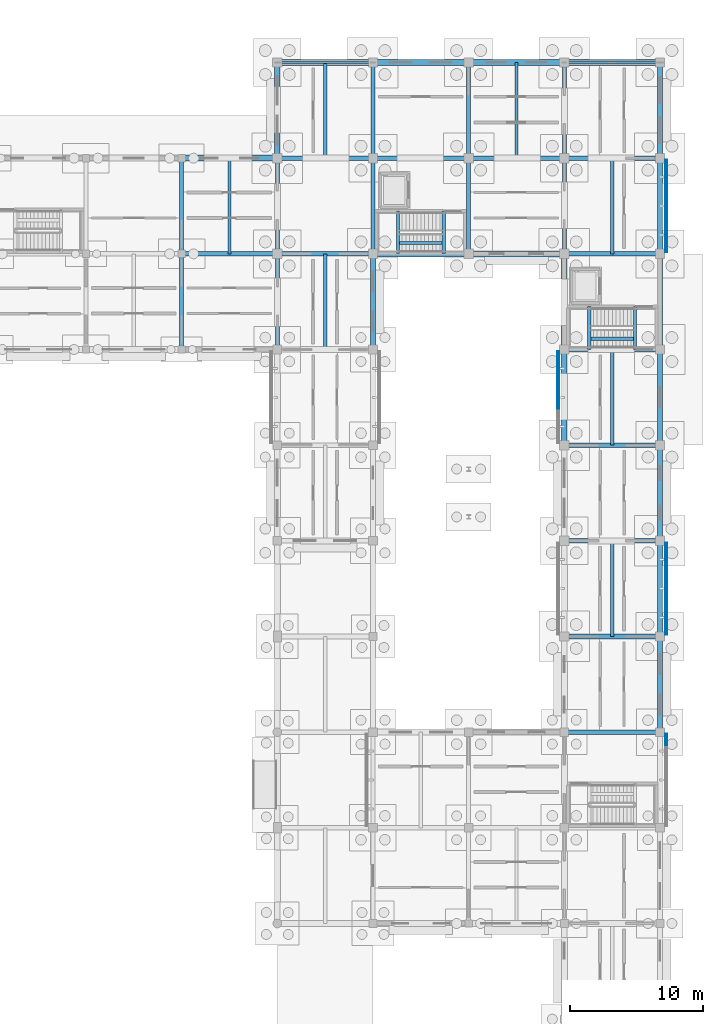
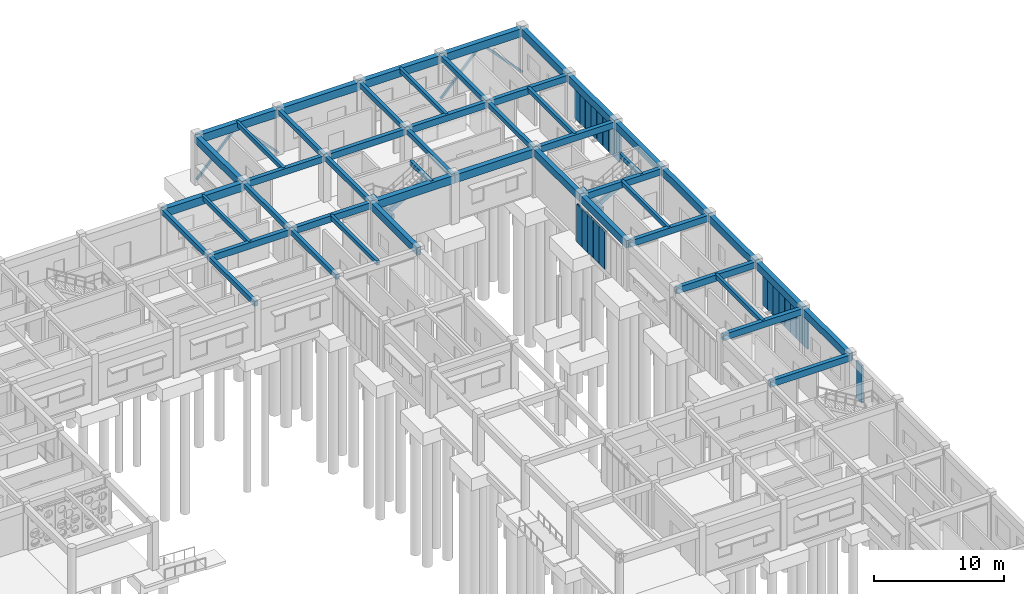
# One storey, part 38 of 111: 53 beams, 26 members, 4 elements without a shape of their own.
"""IFC4 building model written with IfcOpenShell, lengths in metres."""

from ifc_helpers import new_model, si_unit, direction, frame, origin, origin_2d, place, context, subcontext, project, spatial, rectangle, hollow_rectangle, extrude, material, material_profile, profile_set, type_object, element, aggregate, save


model = new_model("IFC4")

# Units and contexts
model_context = context("Model", 3, precision=1e-05, world=origin(), true_north=direction((0.0, 1.0)))
body_context = subcontext(model_context, "Body", "Model", "MODEL_VIEW")
ifc_project = project(units=[si_unit("LENGTHUNIT", "METRE"), si_unit("AREAUNIT", "SQUARE_METRE"), si_unit("VOLUMEUNIT", "CUBIC_METRE"), si_unit("PLANEANGLEUNIT", "RADIAN"), si_unit("MASSUNIT", "GRAM", prefix="KILO")], contexts=[model_context])

# Site, building, storey
site_placement = place(None, origin())
site = spatial("IfcSite", under=ifc_project, at=site_placement, CompositionType="ELEMENT")
building_placement = place(site_placement, origin())
building = spatial("IfcBuilding", under=site, at=building_placement, Name="Aldebral Square Health Centre", CompositionType="ELEMENT")
storey_placement = place(building_placement, origin())
storey = spatial("IfcBuildingStorey", under=building, at=storey_placement, Name="L00", CompositionType="ELEMENT", Elevation=0.0)

# Beams
ifc_material_1 = material(Name="Concrete C40/50", Category="concrete")
ifc_material_profile_1 = material_profile(ifc_material_1, rectangle(XDim=0.35009765625, YDim=0.60009765625, at=origin_2d()), Name="RC 350x600")
ifc_profile_set_1 = profile_set([ifc_material_profile_1], Name="Concrete C40/50")
beam_type_1 = type_object("IfcBeamType", Name="BM-B2", PredefinedType="BEAM", material=ifc_profile_set_1)
for number, where, z_axis, x_axis, name in (
    (1, (129.60009765625, 100.800048828125, 3.919921875), (1.0, 0.0, 0.0), (0.0, 1.0, 0.0), "L00 X-beam 19-20/G15"),
    (2, (136.800048828125, 100.800048828125, 3.919921875), (1.0, 0.0, 0.0), (0.0, 1.0, 0.0), "L00 X-beam 20-21/G15"),
    (3, (136.800048828125, 108.0, 3.919921875), (1.0, 0.0, 0.0), (0.0, 1.0, 0.0), "L00 X-beam 20-21/G16"),
    (4, (144.0, 108.0, 3.919921875), (1.0, 0.0, 0.0), (0.0, 1.0, 0.0), "L00 X-beam 21-22/G16"),
    (5, (151.199951171875, 108.0, 3.919921875), (1.0, 0.0, 0.0), (0.0, 1.0, 0.0), "L00 X-beam 22-23/G16"),
):
    element("IfcBeam", number, at=place(storey_placement, frame(where, z_axis=z_axis, x_axis=x_axis)), inside=storey, type_object=beam_type_1, Name=name, PredefinedType="BEAM", context=body_context, shape_type="SweptSolid", body=[
        extrude(rectangle(XDim=0.35009765625, YDim=0.60009765625, at=origin_2d()), origin(), (0.0, 0.0, 1.0), 7.199951171875),
    ])
for number, where, z_axis, x_axis, name in (
    (6, (158.39990234375, 64.800048828125, 3.919921875), (1.0, 0.0, 0.0), (0.0, 1.0, 0.0), "L00 X-beam 23-24/G10"),
    (7, (158.39990234375, 72.0, 3.919921875), (1.0, 0.0, 0.0), (0.0, 1.0, 0.0), "L00 X-beam 23-24/G11"),
    (8, (158.39990234375, 79.199951171875, 3.919921875), (1.0, 0.0, 0.0), (0.0, 1.0, 0.0), "L00 X-beam 23-24/G12"),
    (9, (158.39990234375, 86.39990234375, 3.919921875), (1.0, 0.0, 0.0), (0.0, 1.0, 0.0), "L00 X-beam 23-24/G13"),
    (10, (158.39990234375, 93.60009765625, 3.919921875), (1.0, 0.0, 0.0), (0.0, 1.0, 0.0), "L00 X-beam 23-24/G14"),
    (11, (158.39990234375, 100.800048828125, 3.919921875), (1.0, 0.0, 0.0), (0.0, 1.0, 0.0), "L00 X-beam 23-24/G15"),
    (12, (158.39990234375, 108.0, 3.919921875), (1.0, 0.0, 0.0), (0.0, 1.0, 0.0), "L00 X-beam 23-24/G16"),
):
    element("IfcBeam", number, at=place(storey_placement, frame(where, z_axis=z_axis, x_axis=x_axis)), inside=storey, type_object=beam_type_1, Name=name, PredefinedType="BEAM", context=body_context, shape_type="SweptSolid", body=[
        extrude(rectangle(XDim=0.35009765625, YDim=0.60009765625, at=origin_2d()), origin(), (0.0, 0.0, 1.0), 7.2001953125),
    ])
ifc_material_profile_2 = material_profile(ifc_material_1, rectangle(XDim=0.300048828125, YDim=0.449951171875, at=origin_2d()), Name="RC 300x450")
ifc_profile_set_2 = profile_set([ifc_material_profile_2], Name="Concrete C40/50")
beam_type_2 = type_object("IfcBeamType", Name="BM-B5", PredefinedType="BEAM", material=ifc_profile_set_2)
for number, where, z_axis, x_axis, name in (
    (13, (129.60009765625, 93.60009765625, 3.9951171875), (0.0, 1.0, 0.0), (-1.0, 0.0, 0.0), "L00 Y-beam G19/14-15"),
    (14, (129.60009765625, 100.800048828125, 3.9951171875), (0.0, 1.0, 0.0), (-1.0, 0.0, 0.0), "L00 Y-beam G19/15-16"),
    (15, (136.800048828125, 93.60009765625, 3.9951171875), (0.0, 1.0, 0.0), (-1.0, 0.0, 0.0), "L00 Y-beam G20/14-15"),
    (16, (136.800048828125, 100.800048828125, 3.9951171875), (0.0, 1.0, 0.0), (-1.0, 0.0, 0.0), "L00 Y-beam G20/15-16"),
    (17, (144.0, 100.800048828125, 3.9951171875), (0.0, 1.0, 0.0), (-1.0, 0.0, 0.0), "L00 Y-beam G21/15-16"),
    (18, (144.0, 108.0, 3.9951171875), (0.0, 1.0, 0.0), (-1.0, 0.0, 0.0), "L00 Y-beam G21/16-17"),
    (19, (151.199951171875, 100.800048828125, 3.9951171875), (0.0, 1.0, 0.0), (-1.0, 0.0, 0.0), "L00 Y-beam G22/15-16"),
    (20, (151.199951171875, 108.0, 3.9951171875), (0.0, 1.0, 0.0), (-1.0, 0.0, 0.0), "L00 Y-beam G22/16-17"),
    (21, (158.39990234375, 100.800048828125, 3.9951171875), (0.0, 1.0, 0.0), (-1.0, 0.0, 0.0), "L00 Y-beam G23/15-16"),
    (22, (158.39990234375, 108.0, 3.9951171875), (0.0, 1.0, 0.0), (-1.0, 0.0, 0.0), "L00 Y-beam G23/16-17"),
):
    element("IfcBeam", number, at=place(storey_placement, frame(where, z_axis=z_axis, x_axis=x_axis)), inside=storey, type_object=beam_type_2, Name=name, PredefinedType="BEAM", context=body_context, shape_type="SweptSolid", body=[
        extrude(rectangle(XDim=0.300048828125, YDim=0.449951171875, at=origin_2d()), origin(), (0.0, 0.0, 1.0), 7.199951171875),
    ])
ifc_material_profile_3 = material_profile(ifc_material_1, rectangle(XDim=0.25, YDim=0.39990234375, at=origin_2d()), Name="RC 250x400")
ifc_profile_set_3 = profile_set([ifc_material_profile_3], Name="Concrete C40/50")
beam_type_3 = type_object("IfcBeamType", Name="BM-B6", PredefinedType="JOIST", material=ifc_profile_set_3)
for number, where, z_axis, x_axis, name in (
    (23, (133.199951171875, 100.800048828125, 4.02001953125), (0.0, 1.0, 0.0), (-1.0, 0.0, 0.0), "L00 secondary rib 19.15"),
    (24, (140.39990234375, 93.60009765625, 4.02001953125), (0.0, 1.0, 0.0), (-1.0, 0.0, 0.0), "L00 secondary rib 20.14"),
    (25, (140.39990234375, 108.0, 4.02001953125), (0.0, 1.0, 0.0), (-1.0, 0.0, 0.0), "L00 secondary rib 20.16"),
    (26, (154.800048828125, 108.0, 4.02001953125), (0.0, 1.0, 0.0), (-1.0, 0.0, 0.0), "L00 secondary rib 22.16"),
    (27, (162.0, 72.0, 4.02001953125), (0.0, 1.0, 0.0), (-1.0, 0.0, 0.0), "L00 secondary rib 23.11"),
):
    element("IfcBeam", number, at=place(storey_placement, frame(where, z_axis=z_axis, x_axis=x_axis)), inside=storey, type_object=beam_type_3, Name=name, PredefinedType="JOIST", context=body_context, shape_type="SweptSolid", body=[
        extrude(rectangle(XDim=0.25, YDim=0.39990234375, at=origin_2d()), origin(), (0.0, 0.0, 1.0), 7.199951171875),
    ])
beam_1_placement = place(storey_placement, frame((162.0, 86.39990234375, 4.02001953125), z_axis=(0.0, 1.0, 0.0), x_axis=(-1.0, 0.0, 0.0)))
element("IfcBeam", 28, at=beam_1_placement, inside=storey, type_object=beam_type_3, Name="L00 secondary rib 23.13", PredefinedType="JOIST", context=body_context, shape_type="SweptSolid", body=[
    extrude(rectangle(XDim=0.25, YDim=0.39990234375, at=origin_2d()), origin(), (0.0, 0.0, 1.0), 7.2001953125),
])
beam_2_placement = place(storey_placement, frame((162.0, 100.800048828125, 4.02001953125), z_axis=(0.0, 1.0, 0.0), x_axis=(-1.0, 0.0, 0.0)))
element("IfcBeam", 29, at=beam_2_placement, inside=storey, type_object=beam_type_3, Name="L00 secondary rib 23.15", PredefinedType="JOIST", context=body_context, shape_type="SweptSolid", body=[
    extrude(rectangle(XDim=0.25, YDim=0.39990234375, at=origin_2d()), origin(), (0.0, 0.0, 1.0), 7.199951171875),
])
for number, where, z_axis, x_axis, name in (
    (30, (160.280029296875, 93.610107421875, 2.050048828125), (0.0, 1.0, 0.0), (-1.0, 0.0, 0.0), "L00 WC-C3 half-landing beam"),
    (31, (163.719970703125, 93.610107421875, 4.02001953125), (0.0, 1.0, 0.0), (-1.0, 0.0, 0.0), "L00 WC-C3 upper landing beam"),
):
    element("IfcBeam", number, at=place(storey_placement, frame(where, z_axis=z_axis, x_axis=x_axis)), inside=storey, type_object=beam_type_3, Name=name, PredefinedType="JOIST", context=body_context, shape_type="SweptSolid", body=[
        extrude(rectangle(XDim=0.25, YDim=0.39990234375, at=origin_2d()), origin(), (0.0, 0.0, 1.0), 3.219970703125),
    ])
beam_3_placement = place(storey_placement, frame((160.280029296875, 94.419921875, 2.050048828125), z_axis=(0.867776584178, 0.0, 0.496954525034), x_axis=(0.0, 1.0, 0.0)))
element("IfcBeam", 32, at=beam_3_placement, inside=storey, type_object=beam_type_3, Name="L00 WC-C3 flight stringer beam", PredefinedType="JOIST", context=body_context, shape_type="SweptSolid", body=[
    extrude(rectangle(XDim=0.25, YDim=0.39990234375, at=origin_2d()), origin(), (0.0, 0.0, 1.0), 3.964111328125),
])
for number, where, z_axis, x_axis, name in (
    (33, (145.8798828125, 100.81005859375, 2.050048828125), (0.0, 1.0, 0.0), (-1.0, 0.0, 0.0), "L00 WC-C4 half-landing beam"),
    (34, (149.320068359375, 100.81005859375, 4.02001953125), (0.0, 1.0, 0.0), (-1.0, 0.0, 0.0), "L00 WC-C4 upper landing beam"),
):
    element("IfcBeam", number, at=place(storey_placement, frame(where, z_axis=z_axis, x_axis=x_axis)), inside=storey, type_object=beam_type_3, Name=name, PredefinedType="JOIST", context=body_context, shape_type="SweptSolid", body=[
        extrude(rectangle(XDim=0.25, YDim=0.39990234375, at=origin_2d()), origin(), (0.0, 0.0, 1.0), 3.219970703125),
    ])
beam_4_placement = place(storey_placement, frame((145.8798828125, 101.6201171875, 2.050048828125), z_axis=(0.867791792995, 0.0, 0.496927966622), x_axis=(0.0, 1.0, 0.0)))
element("IfcBeam", 35, at=beam_4_placement, inside=storey, type_object=beam_type_3, Name="L00 WC-C4 flight stringer beam", PredefinedType="JOIST", context=body_context, shape_type="SweptSolid", body=[
    extrude(rectangle(XDim=0.25, YDim=0.39990234375, at=origin_2d()), origin(), (0.0, 0.0, 1.0), 3.96435546875),
])
ifc_material_profile_4 = material_profile(ifc_material_1, rectangle(XDim=0.449951171875, YDim=0.75, at=origin_2d()), Name="RC 450x750")
ifc_profile_set_4 = profile_set([ifc_material_profile_4], Name="Concrete C40/50")
beam_type_4 = type_object("IfcBeamType", Name="BM-G2", PredefinedType="T_BEAM", material=ifc_profile_set_4)
for number, where, z_axis, x_axis, name in (
    (36, (129.60009765625, 108.0, 3.844970703125), (1.0, 0.0, 0.0), (0.0, 1.0, 0.0), "L00 X-beam 19-20/G16"),
    (37, (136.800048828125, 115.199951171875, 3.844970703125), (1.0, 0.0, 0.0), (0.0, 1.0, 0.0), "L00 X-beam 20-21/G17"),
    (38, (144.0, 100.800048828125, 3.844970703125), (1.0, 0.0, 0.0), (0.0, 1.0, 0.0), "L00 X-beam 21-22/G15"),
    (39, (144.0, 115.199951171875, 3.844970703125), (1.0, 0.0, 0.0), (0.0, 1.0, 0.0), "L00 X-beam 21-22/G17"),
    (40, (151.199951171875, 100.800048828125, 3.844970703125), (1.0, 0.0, 0.0), (0.0, 1.0, 0.0), "L00 X-beam 22-23/G15"),
    (41, (151.199951171875, 115.199951171875, 3.844970703125), (1.0, 0.0, 0.0), (0.0, 1.0, 0.0), "L00 X-beam 22-23/G17"),
):
    element("IfcBeam", number, at=place(storey_placement, frame(where, z_axis=z_axis, x_axis=x_axis)), inside=storey, type_object=beam_type_4, Name=name, PredefinedType="T_BEAM", context=body_context, shape_type="SweptSolid", body=[
        extrude(rectangle(XDim=0.449951171875, YDim=0.75, at=origin_2d()), origin(), (0.0, 0.0, 1.0), 7.199951171875),
    ])
beam_5_placement = place(storey_placement, frame((158.39990234375, 115.199951171875, 3.844970703125), z_axis=(1.0, 0.0, 0.0), x_axis=(0.0, 1.0, 0.0)))
element("IfcBeam", 42, at=beam_5_placement, inside=storey, type_object=beam_type_4, Name="L00 X-beam 23-24/G17", PredefinedType="T_BEAM", context=body_context, shape_type="SweptSolid", body=[
    extrude(rectangle(XDim=0.449951171875, YDim=0.75, at=origin_2d()), origin(), (0.0, 0.0, 1.0), 7.2001953125),
])
ifc_material_profile_5 = material_profile(ifc_material_1, rectangle(XDim=0.39990234375, YDim=0.699951171875, at=origin_2d()), Name="RC 400x700")
ifc_profile_set_5 = profile_set([ifc_material_profile_5], Name="Concrete C40/50")
beam_type_5 = type_object("IfcBeamType", Name="BM-G3", PredefinedType="T_BEAM", material=ifc_profile_set_5)
for number, where, z_axis, x_axis, name in (
    (43, (136.800048828125, 108.0, 3.8701171875), (0.0, 1.0, 0.0), (-1.0, 0.0, 0.0), "L00 Y-beam G20/16-17"),
    (44, (144.0, 93.60009765625, 3.8701171875), (0.0, 1.0, 0.0), (-1.0, 0.0, 0.0), "L00 Y-beam G21/14-15"),
):
    element("IfcBeam", number, at=place(storey_placement, frame(where, z_axis=z_axis, x_axis=x_axis)), inside=storey, type_object=beam_type_5, Name=name, PredefinedType="T_BEAM", context=body_context, shape_type="SweptSolid", body=[
        extrude(rectangle(XDim=0.39990234375, YDim=0.699951171875, at=origin_2d()), origin(), (0.0, 0.0, 1.0), 7.199951171875),
    ])
beam_6_placement = place(storey_placement, frame((158.39990234375, 86.39990234375, 3.8701171875), z_axis=(0.0, 1.0, 0.0), x_axis=(-1.0, 0.0, 0.0)))
element("IfcBeam", 45, at=beam_6_placement, inside=storey, type_object=beam_type_5, Name="L00 Y-beam G23/13-14", PredefinedType="T_BEAM", context=body_context, shape_type="SweptSolid", body=[
    extrude(rectangle(XDim=0.39990234375, YDim=0.699951171875, at=origin_2d()), origin(), (0.0, 0.0, 1.0), 7.2001953125),
])
for number, where, z_axis, x_axis, name in (
    (46, (158.39990234375, 93.60009765625, 3.8701171875), (0.0, 1.0, 0.0), (-1.0, 0.0, 0.0), "L00 Y-beam G23/14-15"),
    (47, (165.60009765625, 64.800048828125, 3.8701171875), (0.0, 1.0, 0.0), (-1.0, 0.0, 0.0), "L00 Y-beam G24/10-11"),
    (48, (165.60009765625, 72.0, 3.8701171875), (0.0, 1.0, 0.0), (-1.0, 0.0, 0.0), "L00 Y-beam G24/11-12"),
    (49, (165.60009765625, 79.199951171875, 3.8701171875), (0.0, 1.0, 0.0), (-1.0, 0.0, 0.0), "L00 Y-beam G24/12-13"),
):
    element("IfcBeam", number, at=place(storey_placement, frame(where, z_axis=z_axis, x_axis=x_axis)), inside=storey, type_object=beam_type_5, Name=name, PredefinedType="T_BEAM", context=body_context, shape_type="SweptSolid", body=[
        extrude(rectangle(XDim=0.39990234375, YDim=0.699951171875, at=origin_2d()), origin(), (0.0, 0.0, 1.0), 7.199951171875),
    ])
beam_7_placement = place(storey_placement, frame((165.60009765625, 86.39990234375, 3.8701171875), z_axis=(0.0, 1.0, 0.0), x_axis=(-1.0, 0.0, 0.0)))
element("IfcBeam", 50, at=beam_7_placement, inside=storey, type_object=beam_type_5, Name="L00 Y-beam G24/13-14", PredefinedType="T_BEAM", context=body_context, shape_type="SweptSolid", body=[
    extrude(rectangle(XDim=0.39990234375, YDim=0.699951171875, at=origin_2d()), origin(), (0.0, 0.0, 1.0), 7.2001953125),
])
for number, where, z_axis, x_axis, name in (
    (51, (165.60009765625, 93.60009765625, 3.8701171875), (0.0, 1.0, 0.0), (-1.0, 0.0, 0.0), "L00 Y-beam G24/14-15"),
    (52, (165.60009765625, 100.800048828125, 3.8701171875), (0.0, 1.0, 0.0), (-1.0, 0.0, 0.0), "L00 Y-beam G24/15-16"),
    (53, (165.60009765625, 108.0, 3.8701171875), (0.0, 1.0, 0.0), (-1.0, 0.0, 0.0), "L00 Y-beam G24/16-17"),
):
    element("IfcBeam", number, at=place(storey_placement, frame(where, z_axis=z_axis, x_axis=x_axis)), inside=storey, type_object=beam_type_5, Name=name, PredefinedType="T_BEAM", context=body_context, shape_type="SweptSolid", body=[
        extrude(rectangle(XDim=0.39990234375, YDim=0.699951171875, at=origin_2d()), origin(), (0.0, 0.0, 1.0), 7.199951171875),
    ])

# Curtain wall, member
ifc_material_2 = material(Name="Aluminium and low-E solar glass", Category="aluminium")
curtain_wall_type = type_object("IfcCurtainWallType", Name="CW-FIN-SYS", PredefinedType="USERDEFINED", material=ifc_material_2)
curtain_wall_1_placement = place(storey_placement, origin())
curtain_wall_1 = element("IfcCurtainWall", 54, at=curtain_wall_1_placement, inside=storey, type_object=curtain_wall_type, Name="L00 V5 finned curtain wall L00-V5-22-08-E", ObjectType="SOLAR_CURTAIN_WALL", PredefinedType="USERDEFINED")
ifc_material_3 = material(Name="Sienna-terracotta clad aluminium fin", Category="masonry")
ifc_material_profile_6 = material_profile(ifc_material_3, hollow_rectangle(XDim=0.159912109375, YDim=0.85009765625, WallThickness=0.006103515625, at=origin_2d()), Name="FIN 160x850x6")
ifc_profile_set_6 = profile_set([ifc_material_profile_6], Name="Sienna-terracotta clad aluminium fin")
member_type_1 = type_object("IfcMemberType", Name="CWM-FIN", PredefinedType="MULLION", material=ifc_profile_set_6)
member_1_placement = place(storey_placement, frame((166.06005859375, 64.239990234375, 0.0), z_axis=(0.0, 0.0, 1.0), x_axis=(-1.0, 0.0, 0.0)))
member_1 = element("IfcMember", 55, at=member_1_placement, type_object=member_type_1, Name="CW1 mullion 8", PredefinedType="MULLION", context=body_context, shape_type="SweptSolid", body=[
    extrude(hollow_rectangle(XDim=0.159912109375, YDim=0.85009765625, WallThickness=0.006103515625, at=origin_2d()), origin(), (0.0, 0.0, 1.0), 3.52001953125),
])
aggregate(curtain_wall_1, [member_1])

# Curtain wall, members
curtain_wall_2_placement = place(storey_placement, origin())
curtain_wall_2 = element("IfcCurtainWall", 56, at=curtain_wall_2_placement, inside=storey, type_object=curtain_wall_type, Name="L00 V5 finned curtain wall L00-V5-22-10-E", ObjectType="SOLAR_CURTAIN_WALL", PredefinedType="USERDEFINED")
member_2_placement = place(storey_placement, frame((166.06005859375, 72.56005859375, 0.0), z_axis=(0.0, 0.0, 1.0), x_axis=(-1.0, 0.0, 0.0)))
member_2 = element("IfcMember", 57, at=member_2_placement, type_object=member_type_1, Name="CW1 mullion 1", PredefinedType="MULLION", context=body_context, shape_type="SweptSolid", body=[
    extrude(hollow_rectangle(XDim=0.159912109375, YDim=0.85009765625, WallThickness=0.006103515625, at=origin_2d()), origin(), (0.0, 0.0, 1.0), 3.52001953125),
])
member_3_placement = place(storey_placement, frame((166.06005859375, 73.371337890625, 0.0), z_axis=(0.0, 0.0, 1.0), x_axis=(-1.0, 0.0, 0.0)))
member_3 = element("IfcMember", 58, at=member_3_placement, type_object=member_type_1, Name="CW1 mullion 2", PredefinedType="MULLION", context=body_context, shape_type="SweptSolid", body=[
    extrude(hollow_rectangle(XDim=0.159912109375, YDim=0.85009765625, WallThickness=0.006103515625, at=origin_2d()), origin(), (0.0, 0.0, 1.0), 3.52001953125),
])
member_4_placement = place(storey_placement, frame((166.06005859375, 74.262939453125, 0.0), z_axis=(0.0, 0.0, 1.0), x_axis=(-1.0, 0.0, 0.0)))
member_4 = element("IfcMember", 59, at=member_4_placement, type_object=member_type_1, Name="CW1 mullion 3", PredefinedType="MULLION", context=body_context, shape_type="SweptSolid", body=[
    extrude(hollow_rectangle(XDim=0.159912109375, YDim=0.85009765625, WallThickness=0.006103515625, at=origin_2d()), origin(), (0.0, 0.0, 1.0), 3.52001953125),
])
member_5_placement = place(storey_placement, frame((166.06005859375, 75.154296875, 0.0), z_axis=(0.0, 0.0, 1.0), x_axis=(-1.0, 0.0, 0.0)))
member_5 = element("IfcMember", 60, at=member_5_placement, type_object=member_type_1, Name="CW1 mullion 4", PredefinedType="MULLION", context=body_context, shape_type="SweptSolid", body=[
    extrude(hollow_rectangle(XDim=0.159912109375, YDim=0.85009765625, WallThickness=0.006103515625, at=origin_2d()), origin(), (0.0, 0.0, 1.0), 3.52001953125),
])
member_6_placement = place(storey_placement, frame((166.06005859375, 76.045654296875, 0.0), z_axis=(0.0, 0.0, 1.0), x_axis=(-1.0, 0.0, 0.0)))
member_6 = element("IfcMember", 61, at=member_6_placement, type_object=member_type_1, Name="CW1 mullion 5", PredefinedType="MULLION", context=body_context, shape_type="SweptSolid", body=[
    extrude(hollow_rectangle(XDim=0.159912109375, YDim=0.85009765625, WallThickness=0.006103515625, at=origin_2d()), origin(), (0.0, 0.0, 1.0), 3.52001953125),
])
member_7_placement = place(storey_placement, frame((166.06005859375, 76.937255859375, 0.0), z_axis=(0.0, 0.0, 1.0), x_axis=(-1.0, 0.0, 0.0)))
member_7 = element("IfcMember", 62, at=member_7_placement, type_object=member_type_1, Name="CW1 mullion 6", PredefinedType="MULLION", context=body_context, shape_type="SweptSolid", body=[
    extrude(hollow_rectangle(XDim=0.159912109375, YDim=0.85009765625, WallThickness=0.006103515625, at=origin_2d()), origin(), (0.0, 0.0, 1.0), 3.52001953125),
])
member_8_placement = place(storey_placement, frame((166.06005859375, 77.82861328125, 0.0), z_axis=(0.0, 0.0, 1.0), x_axis=(-1.0, 0.0, 0.0)))
member_8 = element("IfcMember", 63, at=member_8_placement, type_object=member_type_1, Name="CW1 mullion 7", PredefinedType="MULLION", context=body_context, shape_type="SweptSolid", body=[
    extrude(hollow_rectangle(XDim=0.159912109375, YDim=0.85009765625, WallThickness=0.006103515625, at=origin_2d()), origin(), (0.0, 0.0, 1.0), 3.52001953125),
])
member_9_placement = place(storey_placement, frame((166.06005859375, 78.639892578125, 0.0), z_axis=(0.0, 0.0, 1.0), x_axis=(-1.0, 0.0, 0.0)))
member_9 = element("IfcMember", 64, at=member_9_placement, type_object=member_type_1, Name="CW1 mullion 8", PredefinedType="MULLION", context=body_context, shape_type="SweptSolid", body=[
    extrude(hollow_rectangle(XDim=0.159912109375, YDim=0.85009765625, WallThickness=0.006103515625, at=origin_2d()), origin(), (0.0, 0.0, 1.0), 3.52001953125),
])
aggregate(curtain_wall_2, [member_2, member_3, member_4, member_5, member_6, member_7, member_8, member_9])

curtain_wall_3_placement = place(storey_placement, origin())
curtain_wall_3 = element("IfcCurtainWall", 65, at=curtain_wall_3_placement, inside=storey, type_object=curtain_wall_type, Name="L00 V5 finned curtain wall L00-V5-22-12-W", ObjectType="SOLAR_CURTAIN_WALL", PredefinedType="USERDEFINED")
member_10_placement = place(storey_placement, frame((157.93994140625, 93.0400390625, 0.0), z_axis=(0.0, 0.0, 1.0), x_axis=(1.0, 0.0, 0.0)))
member_10 = element("IfcMember", 66, at=member_10_placement, type_object=member_type_1, Name="CW1 mullion 1", PredefinedType="MULLION", context=body_context, shape_type="SweptSolid", body=[
    extrude(hollow_rectangle(XDim=0.159912109375, YDim=0.85009765625, WallThickness=0.006103515625, at=origin_2d()), origin(), (0.0, 0.0, 1.0), 3.52001953125),
])
member_11_placement = place(storey_placement, frame((157.93994140625, 92.228515625, 0.0), z_axis=(0.0, 0.0, 1.0), x_axis=(1.0, 0.0, 0.0)))
member_11 = element("IfcMember", 67, at=member_11_placement, type_object=member_type_1, Name="CW1 mullion 2", PredefinedType="MULLION", context=body_context, shape_type="SweptSolid", body=[
    extrude(hollow_rectangle(XDim=0.159912109375, YDim=0.85009765625, WallThickness=0.006103515625, at=origin_2d()), origin(), (0.0, 0.0, 1.0), 3.52001953125),
])
member_12_placement = place(storey_placement, frame((157.93994140625, 91.337158203125, 0.0), z_axis=(0.0, 0.0, 1.0), x_axis=(1.0, 0.0, 0.0)))
member_12 = element("IfcMember", 68, at=member_12_placement, type_object=member_type_1, Name="CW1 mullion 3", PredefinedType="MULLION", context=body_context, shape_type="SweptSolid", body=[
    extrude(hollow_rectangle(XDim=0.159912109375, YDim=0.85009765625, WallThickness=0.006103515625, at=origin_2d()), origin(), (0.0, 0.0, 1.0), 3.52001953125),
])
member_13_placement = place(storey_placement, frame((157.93994140625, 90.44580078125, 0.0), z_axis=(0.0, 0.0, 1.0), x_axis=(1.0, 0.0, 0.0)))
member_13 = element("IfcMember", 69, at=member_13_placement, type_object=member_type_1, Name="CW1 mullion 4", PredefinedType="MULLION", context=body_context, shape_type="SweptSolid", body=[
    extrude(hollow_rectangle(XDim=0.159912109375, YDim=0.85009765625, WallThickness=0.006103515625, at=origin_2d()), origin(), (0.0, 0.0, 1.0), 3.52001953125),
])
member_14_placement = place(storey_placement, frame((157.93994140625, 89.55419921875, 0.0), z_axis=(0.0, 0.0, 1.0), x_axis=(1.0, 0.0, 0.0)))
member_14 = element("IfcMember", 70, at=member_14_placement, type_object=member_type_1, Name="CW1 mullion 5", PredefinedType="MULLION", context=body_context, shape_type="SweptSolid", body=[
    extrude(hollow_rectangle(XDim=0.159912109375, YDim=0.85009765625, WallThickness=0.006103515625, at=origin_2d()), origin(), (0.0, 0.0, 1.0), 3.52001953125),
])
aggregate(curtain_wall_3, [member_10, member_11, member_12, member_13, member_14])

curtain_wall_4_placement = place(storey_placement, origin())
curtain_wall_4 = element("IfcCurtainWall", 71, at=curtain_wall_4_placement, inside=storey, type_object=curtain_wall_type, Name="L00 V5 finned curtain wall L00-V5-22-14-E", ObjectType="SOLAR_CURTAIN_WALL", PredefinedType="USERDEFINED")
member_15_placement = place(storey_placement, frame((166.06005859375, 101.360107421875, 0.0), z_axis=(0.0, 0.0, 1.0), x_axis=(-1.0, 0.0, 0.0)))
member_15 = element("IfcMember", 72, at=member_15_placement, type_object=member_type_1, Name="CW1 mullion 1", PredefinedType="MULLION", context=body_context, shape_type="SweptSolid", body=[
    extrude(hollow_rectangle(XDim=0.159912109375, YDim=0.85009765625, WallThickness=0.006103515625, at=origin_2d()), origin(), (0.0, 0.0, 1.0), 3.52001953125),
])
member_16_placement = place(storey_placement, frame((166.06005859375, 102.17138671875, 0.0), z_axis=(0.0, 0.0, 1.0), x_axis=(-1.0, 0.0, 0.0)))
member_16 = element("IfcMember", 73, at=member_16_placement, type_object=member_type_1, Name="CW1 mullion 2", PredefinedType="MULLION", context=body_context, shape_type="SweptSolid", body=[
    extrude(hollow_rectangle(XDim=0.159912109375, YDim=0.85009765625, WallThickness=0.006103515625, at=origin_2d()), origin(), (0.0, 0.0, 1.0), 3.52001953125),
])
member_17_placement = place(storey_placement, frame((166.06005859375, 103.062744140625, 0.0), z_axis=(0.0, 0.0, 1.0), x_axis=(-1.0, 0.0, 0.0)))
member_17 = element("IfcMember", 74, at=member_17_placement, type_object=member_type_1, Name="CW1 mullion 3", PredefinedType="MULLION", context=body_context, shape_type="SweptSolid", body=[
    extrude(hollow_rectangle(XDim=0.159912109375, YDim=0.85009765625, WallThickness=0.006103515625, at=origin_2d()), origin(), (0.0, 0.0, 1.0), 3.52001953125),
])
member_18_placement = place(storey_placement, frame((166.06005859375, 103.954345703125, 0.0), z_axis=(0.0, 0.0, 1.0), x_axis=(-1.0, 0.0, 0.0)))
member_18 = element("IfcMember", 75, at=member_18_placement, type_object=member_type_1, Name="CW1 mullion 4", PredefinedType="MULLION", context=body_context, shape_type="SweptSolid", body=[
    extrude(hollow_rectangle(XDim=0.159912109375, YDim=0.85009765625, WallThickness=0.006103515625, at=origin_2d()), origin(), (0.0, 0.0, 1.0), 3.52001953125),
])
member_19_placement = place(storey_placement, frame((166.06005859375, 104.845703125, 0.0), z_axis=(0.0, 0.0, 1.0), x_axis=(-1.0, 0.0, 0.0)))
member_19 = element("IfcMember", 76, at=member_19_placement, type_object=member_type_1, Name="CW1 mullion 5", PredefinedType="MULLION", context=body_context, shape_type="SweptSolid", body=[
    extrude(hollow_rectangle(XDim=0.159912109375, YDim=0.85009765625, WallThickness=0.006103515625, at=origin_2d()), origin(), (0.0, 0.0, 1.0), 3.52001953125),
])
member_20_placement = place(storey_placement, frame((166.06005859375, 105.737060546875, 0.0), z_axis=(0.0, 0.0, 1.0), x_axis=(-1.0, 0.0, 0.0)))
member_20 = element("IfcMember", 77, at=member_20_placement, type_object=member_type_1, Name="CW1 mullion 6", PredefinedType="MULLION", context=body_context, shape_type="SweptSolid", body=[
    extrude(hollow_rectangle(XDim=0.159912109375, YDim=0.85009765625, WallThickness=0.006103515625, at=origin_2d()), origin(), (0.0, 0.0, 1.0), 3.52001953125),
])
member_21_placement = place(storey_placement, frame((166.06005859375, 106.628662109375, 0.0), z_axis=(0.0, 0.0, 1.0), x_axis=(-1.0, 0.0, 0.0)))
member_21 = element("IfcMember", 78, at=member_21_placement, type_object=member_type_1, Name="CW1 mullion 7", PredefinedType="MULLION", context=body_context, shape_type="SweptSolid", body=[
    extrude(hollow_rectangle(XDim=0.159912109375, YDim=0.85009765625, WallThickness=0.006103515625, at=origin_2d()), origin(), (0.0, 0.0, 1.0), 3.52001953125),
])
member_22_placement = place(storey_placement, frame((166.06005859375, 107.43994140625, 0.0), z_axis=(0.0, 0.0, 1.0), x_axis=(-1.0, 0.0, 0.0)))
member_22 = element("IfcMember", 79, at=member_22_placement, type_object=member_type_1, Name="CW1 mullion 8", PredefinedType="MULLION", context=body_context, shape_type="SweptSolid", body=[
    extrude(hollow_rectangle(XDim=0.159912109375, YDim=0.85009765625, WallThickness=0.006103515625, at=origin_2d()), origin(), (0.0, 0.0, 1.0), 3.52001953125),
])
aggregate(curtain_wall_4, [member_15, member_16, member_17, member_18, member_19, member_20, member_21, member_22])

# Members
ifc_material_4 = material(Name="Steel S355JR", Category="steel")
ifc_material_profile_7 = material_profile(ifc_material_4, hollow_rectangle(XDim=0.179931640625, YDim=0.179931640625, WallThickness=0.010009765625, at=origin_2d()), Name="180x180x10 SHS")
ifc_profile_set_7 = profile_set([ifc_material_profile_7], Name="Steel S355JR")
member_type_2 = type_object("IfcMemberType", Name="MEM-BR1", PredefinedType="BRACE", material=ifc_profile_set_7)
member_23_placement = place(storey_placement, frame((136.800048828125, 115.199951171875, 0.0), z_axis=(0.683455296672, 0.0, 0.729992368077), x_axis=(0.0, 1.0, 0.0)))
element("IfcMember", 80, at=member_23_placement, inside=storey, type_object=member_type_2, Name="L00 exterior north chevron brace L 20", PredefinedType="BRACE", context=body_context, shape_type="SweptSolid", body=[
    extrude(hollow_rectangle(XDim=0.179931640625, YDim=0.179931640625, WallThickness=0.010009765625, at=origin_2d()), origin(), (0.0, 0.0, 1.0), 5.26708984375),
])
for number, where, z_axis, x_axis, name in (
    (81, (144.0, 115.199951171875, 0.0), (-0.683479995784, 0.0, 0.729969242751), (0.0, -1.0, 0.0), "L00 exterior north chevron brace R 20"),
    (82, (158.39990234375, 115.199951171875, 0.0), (0.683479995784, 0.0, 0.729969242751), (0.0, 1.0, 0.0), "L00 exterior north chevron brace L 23"),
    (83, (165.60009765625, 115.199951171875, 0.0), (-0.683479995784, 0.0, 0.729969242751), (0.0, -1.0, 0.0), "L00 exterior north chevron brace R 23"),
):
    element("IfcMember", number, at=place(storey_placement, frame(where, z_axis=z_axis, x_axis=x_axis)), inside=storey, type_object=member_type_2, Name=name, PredefinedType="BRACE", context=body_context, shape_type="SweptSolid", body=[
        extrude(hollow_rectangle(XDim=0.179931640625, YDim=0.179931640625, WallThickness=0.010009765625, at=origin_2d()), origin(), (0.0, 0.0, 1.0), 5.267333984375),
    ])

save(model, "model.ifc")
